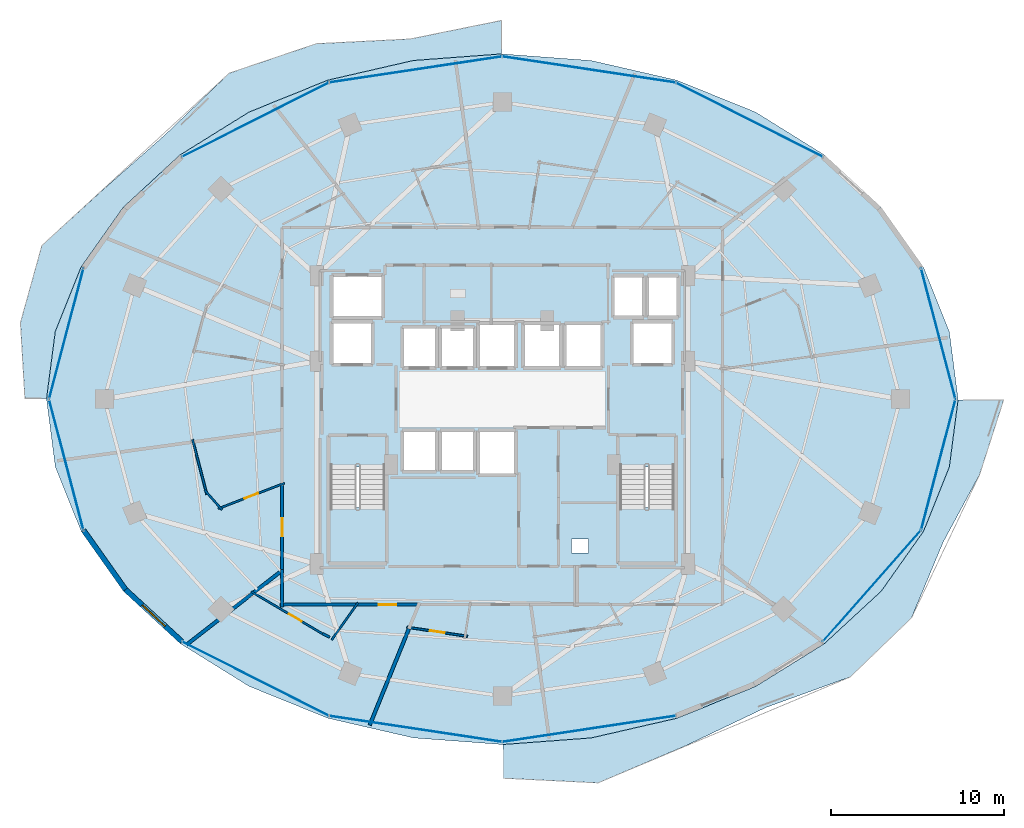
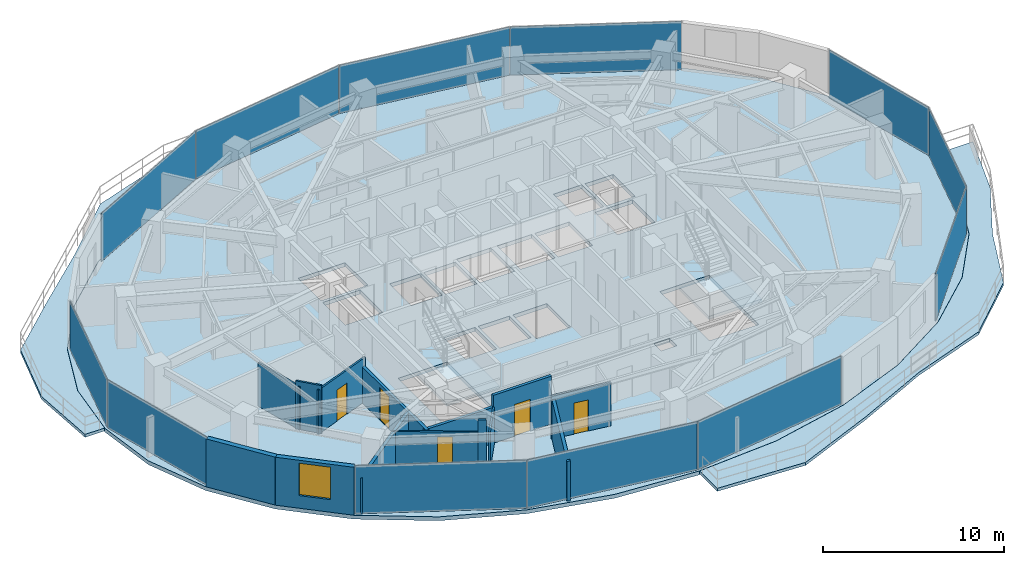
# One storey, part 21 of 30: 15 walls, 12 plates, 5 doors, 5 slabs, 1 window, 6 openings, 6 elements without a shape of their own.
"""IFC4 building model written with IfcOpenShell, lengths in metres."""

from ifc_helpers import new_model, si_unit, direction, frame, frame_2d, origin, origin_2d, place, context, subcontext, project, spatial, polyline, rectangle, outline, extrude, material, layer, layer_set, type_object, element, fill, aggregate, save


model = new_model("IFC4")

# Units and contexts
model_context = context("Model", 3, precision=1e-05, world=origin(), true_north=direction((0.0, 1.0)))
body_context = subcontext(model_context, "Body", "Model", "MODEL_VIEW")
ifc_project = project(units=[si_unit("LENGTHUNIT", "METRE"), si_unit("AREAUNIT", "SQUARE_METRE"), si_unit("VOLUMEUNIT", "CUBIC_METRE"), si_unit("PLANEANGLEUNIT", "RADIAN"), si_unit("MASSUNIT", "GRAM", prefix="KILO")], contexts=[model_context])

# Site, building, storey
site_placement = place(None, origin())
site = spatial("IfcSite", under=ifc_project, at=site_placement, CompositionType="ELEMENT")
building_placement = place(site_placement, origin())
building = spatial("IfcBuilding", under=site, at=building_placement, Name="Vorneva Point Tower", CompositionType="ELEMENT")
storey_placement = place(building_placement, frame((0.0, 0.0, 92.800048828125)))
storey = spatial("IfcBuildingStorey", under=building, at=storey_placement, Name="L24", CompositionType="ELEMENT", Elevation=92.800048828125)

# Curtain wall, plates
ifc_material_1 = material(Name="Pale anodised aluminium", Category="aluminium")
curtain_wall_type = type_object("IfcCurtainWallType", Name="CW-HTL-SYS", PredefinedType="NOTDEFINED", material=ifc_material_1)
curtain_wall_1_placement = place(storey_placement, origin())
curtain_wall_1 = element("IfcCurtainWall", 1, at=curtain_wall_1_placement, inside=storey, type_object=curtain_wall_type, Name="L24 Unitised Curtain Wall CW-L24-R01", PredefinedType="NOTDEFINED")
ifc_material_2 = material(Name="Double low-e laminated glass IGU", Category="glass")
ifc_layer_1 = layer(ifc_material_2, 0.035888671875)
ifc_layer_set_1 = layer_set([ifc_layer_1], Name="Double low-e laminated glass IGU")
plate_type = type_object("IfcPlateType", Name="CW-PNL-VIS", PredefinedType="CURTAIN_PANEL", material=ifc_layer_set_1)
plate_1_placement = place(storey_placement, frame((59.40673828125, 15.183837890625, -0.02001953125), z_axis=(0.0, 0.0, 1.0), x_axis=(0.662149334693, 0.749371909379, 0.0)))
plate_1 = element("IfcPlate", 2, at=plate_1_placement, type_object=plate_type, Name="CW-L24-R01 Glazed Panel 01", PredefinedType="CURTAIN_PANEL", context=body_context, shape_type="SweptSolid", body=[
    extrude(rectangle(XDim=8.543701171875, YDim=0.035888671875, at=origin_2d()), origin(), (0.0, 0.0, 1.0), 3.280029296875),
])
plate_2_placement = place(storey_placement, frame((63.2509765625, 22.201904296875, -0.02001953125), z_axis=(0.0, 0.0, 1.0), x_axis=(0.254399404995, 0.967099241411, 0.0)))
plate_2 = element("IfcPlate", 3, at=plate_2_placement, type_object=plate_type, Name="CW-L24-R01 Glazed Panel 02", PredefinedType="CURTAIN_PANEL", context=body_context, shape_type="SweptSolid", body=[
    extrude(rectangle(XDim=7.8046875, YDim=0.035888671875, at=origin_2d()), origin(), (0.0, 0.0, 1.0), 3.280029296875),
])
plate_3_placement = place(storey_placement, frame((63.2509765625, 29.798095703125, -0.02001953125), z_axis=(0.0, 0.0, 1.0), x_axis=(-0.254399404995, 0.967099241411, 0.0)))
plate_3 = element("IfcPlate", 4, at=plate_3_placement, type_object=plate_type, Name="CW-L24-R01 Glazed Panel 03", PredefinedType="CURTAIN_PANEL", context=body_context, shape_type="SweptSolid", body=[
    extrude(rectangle(XDim=7.8046875, YDim=0.035888671875, at=origin_2d()), origin(), (0.0, 0.0, 1.0), 3.280029296875),
])
aggregate(curtain_wall_1, [plate_1, plate_2, plate_3])

curtain_wall_2_placement = place(storey_placement, origin())
curtain_wall_2 = element("IfcCurtainWall", 5, at=curtain_wall_2_placement, inside=storey, type_object=curtain_wall_type, Name="L24 Unitised Curtain Wall CW-L24-R02", PredefinedType="NOTDEFINED")
plate_4_placement = place(storey_placement, frame((52.303466796875, 42.1875, -0.02001953125), z_axis=(0.0, 0.0, 1.0), x_axis=(-0.892538597772, 0.450971009585, 0.0)))
plate_4 = element("IfcPlate", 6, at=plate_4_placement, type_object=plate_type, Name="CW-L24-R02 Glazed Panel 01", PredefinedType="CURTAIN_PANEL", context=body_context, shape_type="SweptSolid", body=[
    extrude(rectangle(XDim=9.491455078125, YDim=0.035888671875, at=origin_2d()), origin(), (0.0, 0.0, 1.0), 3.280029296875),
])
plate_5_placement = place(storey_placement, frame((43.022705078125, 45.094482421875, -0.02001953125), z_axis=(0.0, 0.0, 1.0), x_axis=(-0.988876117041, 0.148741470836, 0.0)))
plate_5 = element("IfcPlate", 7, at=plate_5_placement, type_object=plate_type, Name="CW-L24-R02 Glazed Panel 02", PredefinedType="CURTAIN_PANEL", context=body_context, shape_type="SweptSolid", body=[
    extrude(rectangle(XDim=10.1083984375, YDim=0.035888671875, at=origin_2d()), origin(), (0.0, 0.0, 1.0), 3.280029296875),
])
plate_6_placement = place(storey_placement, frame((32.977294921875, 45.094482421875, -0.02001953125), z_axis=(0.0, 0.0, 1.0), x_axis=(-0.988876117041, -0.148741470836, 0.0)))
plate_6 = element("IfcPlate", 8, at=plate_6_placement, type_object=plate_type, Name="CW-L24-R02 Glazed Panel 03", PredefinedType="CURTAIN_PANEL", context=body_context, shape_type="SweptSolid", body=[
    extrude(rectangle(XDim=10.1083984375, YDim=0.035888671875, at=origin_2d()), origin(), (0.0, 0.0, 1.0), 3.280029296875),
])
plate_7_placement = place(storey_placement, frame((23.696533203125, 42.1875, -0.02001953125), z_axis=(0.0, 0.0, 1.0), x_axis=(-0.892538597772, -0.450971009585, 0.0)))
plate_7 = element("IfcPlate", 9, at=plate_7_placement, type_object=plate_type, Name="CW-L24-R02 Glazed Panel 04", PredefinedType="CURTAIN_PANEL", context=body_context, shape_type="SweptSolid", body=[
    extrude(rectangle(XDim=9.491455078125, YDim=0.035888671875, at=origin_2d()), origin(), (0.0, 0.0, 1.0), 3.280029296875),
])
aggregate(curtain_wall_2, [plate_4, plate_5, plate_6, plate_7])

curtain_wall_3_placement = place(storey_placement, origin())
curtain_wall_3 = element("IfcCurtainWall", 10, at=curtain_wall_3_placement, inside=storey, type_object=curtain_wall_type, Name="L24 Unitised Curtain Wall CW-L24-R03", PredefinedType="NOTDEFINED")
plate_8_placement = place(storey_placement, frame((12.7490234375, 29.798095703125, -0.02001953125), z_axis=(0.0, 0.0, 1.0), x_axis=(-0.254399404995, -0.967099241411, 0.0)))
plate_8 = element("IfcPlate", 11, at=plate_8_placement, type_object=plate_type, Name="CW-L24-R03 Glazed Panel 01", PredefinedType="CURTAIN_PANEL", context=body_context, shape_type="SweptSolid", body=[
    extrude(rectangle(XDim=7.8046875, YDim=0.035888671875, at=origin_2d()), origin(), (0.0, 0.0, 1.0), 3.280029296875),
])
plate_9_placement = place(storey_placement, frame((12.7490234375, 22.201904296875, -0.02001953125), z_axis=(0.0, 0.0, 1.0), x_axis=(0.254399404995, -0.967099241411, 0.0)))
plate_9 = element("IfcPlate", 12, at=plate_9_placement, type_object=plate_type, Name="CW-L24-R03 Glazed Panel 02", PredefinedType="CURTAIN_PANEL", context=body_context, shape_type="SweptSolid", body=[
    extrude(rectangle(XDim=7.8046875, YDim=0.035888671875, at=origin_2d()), origin(), (0.0, 0.0, 1.0), 3.280029296875),
])
aggregate(curtain_wall_3, [plate_8, plate_9])

curtain_wall_4_placement = place(storey_placement, origin())
curtain_wall_4 = element("IfcCurtainWall", 13, at=curtain_wall_4_placement, inside=storey, type_object=curtain_wall_type, Name="L24 Unitised Curtain Wall CW-L24-R04", PredefinedType="NOTDEFINED")
plate_10_placement = place(storey_placement, frame((23.696533203125, 9.8125, -0.02001953125), z_axis=(0.0, 0.0, 1.0), x_axis=(0.892538597772, -0.450971009585, 0.0)))
plate_10 = element("IfcPlate", 14, at=plate_10_placement, type_object=plate_type, Name="CW-L24-R04 Glazed Panel 01", PredefinedType="CURTAIN_PANEL", context=body_context, shape_type="SweptSolid", body=[
    extrude(rectangle(XDim=9.491455078125, YDim=0.035888671875, at=origin_2d()), origin(), (0.0, 0.0, 1.0), 3.280029296875),
])
plate_11_placement = place(storey_placement, frame((32.977294921875, 6.905517578125, -0.02001953125), z_axis=(0.0, 0.0, 1.0), x_axis=(0.988876117041, -0.148741470836, 0.0)))
plate_11 = element("IfcPlate", 15, at=plate_11_placement, type_object=plate_type, Name="CW-L24-R04 Glazed Panel 02", PredefinedType="CURTAIN_PANEL", context=body_context, shape_type="SweptSolid", body=[
    extrude(rectangle(XDim=10.1083984375, YDim=0.035888671875, at=origin_2d()), origin(), (0.0, 0.0, 1.0), 3.280029296875),
])
plate_12_placement = place(storey_placement, frame((43.022705078125, 6.905517578125, -0.02001953125), z_axis=(0.0, 0.0, 1.0), x_axis=(0.988876117041, 0.148741470836, 0.0)))
plate_12 = element("IfcPlate", 16, at=plate_12_placement, type_object=plate_type, Name="CW-L24-R04 Glazed Panel 03", PredefinedType="CURTAIN_PANEL", context=body_context, shape_type="SweptSolid", body=[
    extrude(rectangle(XDim=10.1083984375, YDim=0.035888671875, at=origin_2d()), origin(), (0.0, 0.0, 1.0), 3.280029296875),
])
aggregate(curtain_wall_4, [plate_10, plate_11, plate_12])

# Slabs
ifc_material_3 = material(Name="Concrete B50 (C40/50)", Category="concrete")
ifc_layer_2 = layer(ifc_material_3, 0.199951171875)
ifc_layer_set_2 = layer_set([ifc_layer_2], Name="Concrete B50 (C40/50)")
slab_type_1 = type_object("IfcSlabType", Name="SLB-BAL-200", PredefinedType="FLOOR", material=ifc_layer_set_2)
slab_1_placement = place(storey_placement, frame((0.0, 0.0, -0.199951171875)))
element("IfcSlab", 17, at=slab_1_placement, inside=storey, type_object=slab_type_1, Name="L24 Cantilevered Wave Balcony NW", PredefinedType="FLOOR", context=body_context, shape_type="SweptSolid", body=[
    extrude(outline(polyline([(10.34716796875, 26.050048828125), (11.6025390625, 26.050048828125), (12.103271484375, 29.90234375), (12.103515625, 29.902587890625), (12.103515625, 29.903076171875), (12.103515625, 29.9033203125), (13.60595703125, 33.6552734375), (13.606201171875, 33.655517578125), (13.606201171875, 33.656005859375), (16.0458984375, 37.11376953125), (16.046142578125, 37.114013671875), (16.04638671875, 37.1142578125), (19.32958984375, 40.14501953125), (19.330078125, 40.145263671875), (19.330322265625, 40.1455078125), (23.330810546875, 42.6328125), (23.3310546875, 42.633056640625), (23.331298828125, 42.633056640625), (27.895751953125, 44.481201171875), (27.89599609375, 44.4814453125), (27.896240234375, 44.4814453125), (32.8486328125, 45.61962890625), (32.84912109375, 45.61962890625), (32.849365234375, 45.61962890625), (37.949951171875, 46.000244140625), (37.949951171875, 47.939697265625), (32.661376953125, 46.864990234375), (27.233154296875, 46.59375), (22.189453125, 44.888427734375), (18.453857421875, 41.302001953125), (14.87841796875, 38.14404296875), (11.331298828125, 34.8994140625), (10.089111328125, 30.431640625), (10.34716796875, 26.050048828125)])), origin(), (0.0, 0.0, 1.0), 0.199951171875),
])
slab_2_placement = place(storey_placement, frame((0.0, 0.0, -0.199951171875)))
element("IfcSlab", 18, at=slab_2_placement, inside=storey, type_object=slab_type_1, Name="L24 Cantilevered Wave Balcony SE", PredefinedType="FLOOR", context=body_context, shape_type="SweptSolid", body=[
    extrude(outline(polyline([(65.646728515625, 21.6376953125), (67.033935546875, 25.949951171875), (64.3974609375, 25.949951171875), (63.896728515625, 22.09765625), (63.896484375, 22.097412109375), (63.896484375, 22.096923828125), (63.896484375, 22.0966796875), (62.39404296875, 18.3447265625), (62.393798828125, 18.344482421875), (62.393798828125, 18.343994140625), (59.9541015625, 14.88623046875), (59.953857421875, 14.885986328125), (59.95361328125, 14.8857421875), (56.67041015625, 11.85498046875), (56.669921875, 11.854736328125), (56.669677734375, 11.8544921875), (52.669189453125, 9.3671875), (52.6689453125, 9.366943359375), (52.668701171875, 9.366943359375), (48.104248046875, 7.518798828125), (48.10400390625, 7.5185546875), (48.103759765625, 7.5185546875), (43.1513671875, 6.38037109375), (43.15087890625, 6.38037109375), (43.150634765625, 6.38037109375), (38.050048828125, 5.999755859375), (38.050048828125, 4.047607421875), (43.543212890625, 3.777099609375), (48.6064453125, 5.91748046875), (53.284912109375, 8.150146484375), (58.14404296875, 9.908935546875), (61.704833984375, 13.341552734375), (63.533935546875, 17.72119140625), (65.646728515625, 21.6376953125)])), origin(), (0.0, 0.0, 1.0), 0.199951171875),
])

# Stair, slab
stair_type = type_object("IfcStairType", Name="ST-DOG-1500", PredefinedType="HALF_TURN_STAIR", material=ifc_material_3)
stair_1_placement = place(storey_placement, origin())
stair_1 = element("IfcStair", 19, at=stair_1_placement, inside=storey, type_object=stair_type, Name="L24 ST1", PredefinedType="HALF_TURN_STAIR")
ifc_layer_3 = layer(ifc_material_3, 0.199951171875)
ifc_layer_set_3 = layer_set([ifc_layer_3], Name="Concrete B50 (C40/50)")
slab_type_2 = type_object("IfcSlabType", Name="SLB-LND-200", PredefinedType="LANDING", material=ifc_layer_set_3)
slab_3_placement = place(storey_placement, frame((0.0, 0.0, 1.550048828125)))
slab_3 = element("IfcSlab", 20, at=slab_3_placement, type_object=slab_type_2, Name="ST1 landing 1", PredefinedType="LANDING", context=body_context, shape_type="SweptSolid", body=[
    extrude(outline(polyline([(27.929931640625, 16.47998046875), (31.320068359375, 16.47998046875), (31.320068359375, 19.72998046875), (27.929931640625, 19.72998046875), (27.929931640625, 16.47998046875)])), origin(), (0.0, 0.0, 1.0), 0.199951171875),
])
aggregate(stair_1, [slab_3])

stair_2_placement = place(storey_placement, origin())
stair_2 = element("IfcStair", 21, at=stair_2_placement, inside=storey, type_object=stair_type, Name="L24 ST2", PredefinedType="HALF_TURN_STAIR")
slab_4_placement = place(storey_placement, frame((0.0, 0.0, 1.550048828125)))
slab_4 = element("IfcSlab", 22, at=slab_4_placement, type_object=slab_type_2, Name="ST2 landing 1", PredefinedType="LANDING", context=body_context, shape_type="SweptSolid", body=[
    extrude(outline(polyline([(44.679931640625, 16.47998046875), (48.070068359375, 16.47998046875), (48.070068359375, 19.72998046875), (44.679931640625, 19.72998046875), (44.679931640625, 16.47998046875)])), origin(), (0.0, 0.0, 1.0), 0.199951171875),
])
aggregate(stair_2, [slab_4])

# Slab
ifc_layer_4 = layer(ifc_material_3, 0.260009765625)
ifc_layer_set_4 = layer_set([ifc_layer_4], Name="Concrete B50 (C40/50)")
slab_type_3 = type_object("IfcSlabType", Name="SLB-TYP-260", PredefinedType="FLOOR", material=ifc_layer_set_4)
slab_5_placement = place(storey_placement, frame((0.0, 0.0, -0.260009765625)))
element("IfcSlab", 23, at=slab_5_placement, inside=storey, type_object=slab_type_3, Name="L24 Structural Floor Plate", PredefinedType="FLOOR", context=body_context, shape_type="SweptSolid", body=[
    extrude(outline(polyline([(64.39990234375, 26.0), (63.892578125, 29.90185546875), (62.390380859375, 33.65380859375), (59.95068359375, 37.111328125), (56.66748046875, 40.14208984375), (52.6669921875, 42.62939453125), (48.102783203125, 44.4775390625), (43.150390625, 45.61572265625), (38.0, 46.0), (32.849609375, 45.61572265625), (27.897216796875, 44.4775390625), (23.3330078125, 42.62939453125), (19.33251953125, 40.14208984375), (16.04931640625, 37.111328125), (13.609619140625, 33.65380859375), (12.107421875, 29.90185546875), (11.60009765625, 26.0), (12.107421875, 22.09814453125), (13.609619140625, 18.34619140625), (16.04931640625, 14.888671875), (19.33251953125, 11.85791015625), (23.3330078125, 9.37060546875), (27.897216796875, 7.5224609375), (32.849609375, 6.38427734375), (38.0, 6.0), (43.150390625, 6.38427734375), (48.102783203125, 7.5224609375), (52.6669921875, 9.37060546875), (56.66748046875, 11.85791015625), (59.95068359375, 14.888671875), (62.390380859375, 18.34619140625), (63.892578125, 22.09814453125), (64.39990234375, 26.0)]), holes=[polyline([(32.199951171875, 27.800048828125), (34.199951171875, 27.800048828125), (34.199951171875, 30.199951171875), (32.199951171875, 30.199951171875), (32.199951171875, 27.800048828125)]), polyline([(34.39990234375, 27.800048828125), (36.39990234375, 27.800048828125), (36.39990234375, 30.199951171875), (34.39990234375, 30.199951171875), (34.39990234375, 27.800048828125)]), polyline([(36.60009765625, 27.800048828125), (38.800048828125, 27.800048828125), (38.800048828125, 30.39990234375), (36.60009765625, 30.39990234375), (36.60009765625, 27.800048828125)]), polyline([(32.199951171875, 21.800048828125), (34.199951171875, 21.800048828125), (34.199951171875, 24.199951171875), (32.199951171875, 24.199951171875), (32.199951171875, 21.800048828125)]), polyline([(34.39990234375, 21.800048828125), (36.39990234375, 21.800048828125), (36.39990234375, 24.199951171875), (34.39990234375, 24.199951171875), (34.39990234375, 21.800048828125)]), polyline([(36.60009765625, 21.60009765625), (38.800048828125, 21.60009765625), (38.800048828125, 24.199951171875), (36.60009765625, 24.199951171875), (36.60009765625, 21.60009765625)]), polyline([(39.199951171875, 27.800048828125), (41.39990234375, 27.800048828125), (41.39990234375, 30.39990234375), (39.199951171875, 30.39990234375), (39.199951171875, 27.800048828125)]), polyline([(41.60009765625, 27.800048828125), (43.800048828125, 27.800048828125), (43.800048828125, 30.39990234375), (41.60009765625, 30.39990234375), (41.60009765625, 27.800048828125)]), polyline([(44.39990234375, 30.739990234375), (46.199951171875, 30.739990234375), (46.199951171875, 33.159912109375), (44.39990234375, 33.159912109375), (44.39990234375, 30.739990234375)]), polyline([(46.39990234375, 30.739990234375), (48.199951171875, 30.739990234375), (48.199951171875, 33.159912109375), (46.39990234375, 33.159912109375), (46.39990234375, 30.739990234375)]), polyline([(28.10009765625, 28.0), (30.5, 28.0), (30.5, 30.5), (28.10009765625, 30.5), (28.10009765625, 28.0)]), polyline([(45.5, 28.0), (47.89990234375, 28.0), (47.89990234375, 30.5), (45.5, 30.5), (45.5, 28.0)]), polyline([(28.10009765625, 30.699951171875), (31.10009765625, 30.699951171875), (31.10009765625, 33.199951171875), (28.10009765625, 33.199951171875), (28.10009765625, 30.699951171875)]), polyline([(28.050048828125, 16.60009765625), (31.199951171875, 16.60009765625), (31.199951171875, 22.080078125), (28.050048828125, 22.080078125), (28.050048828125, 16.60009765625)]), polyline([(44.800048828125, 16.60009765625), (47.949951171875, 16.60009765625), (47.949951171875, 22.080078125), (44.800048828125, 22.080078125), (44.800048828125, 16.60009765625)]), polyline([(42.0, 17.10009765625), (43.0, 17.10009765625), (43.0, 17.89990234375), (42.0, 17.89990234375), (42.0, 17.10009765625)])]), origin(), (0.0, 0.0, 1.0), 0.260009765625),
])

# Wall
ifc_material_4 = material(Name="Precast concrete B50 (C40/50)", Category="concrete")
ifc_layer_5 = layer(ifc_material_4, 0.300048828125)
ifc_layer_set_5 = layer_set([ifc_layer_5], Name="Precast concrete B50 (C40/50)")
wall_type_1 = type_object("IfcWallType", Name="WL-EXT-300", PredefinedType="STANDARD", material=ifc_layer_set_5)
wall_1_placement = place(storey_placement, frame((13.748291015625, 18.40380859375, 0.0), z_axis=(0.0, 0.0, 1.0), x_axis=(0.57716435238, -0.81662801222, 0.0)))
element("IfcWall", 24, at=wall_1_placement, inside=storey, type_object=wall_type_1, Name="L24 Pale-Metal Facade Spandrel Wall 10.1", PredefinedType="STANDARD", context=body_context, shape_type="SweptSolid", body=[
    extrude(rectangle(XDim=4.202392578125, YDim=0.300048828125, at=frame_2d((2.10107421875, 0.0))), origin(), (0.0, 0.0, 1.0), 3.239990234375),
])

# Wall, opening, window
wall_2_placement = place(storey_placement, frame((16.173828125, 14.971923828125, 0.0), z_axis=(0.0, 0.0, 1.0), x_axis=(0.735416718093, -0.677615119924, 0.0)))
wall_2 = element("IfcWall", 25, at=wall_2_placement, inside=storey, type_object=wall_type_1, Name="L24 Pale-Metal Facade Spandrel Wall 10.2", PredefinedType="STANDARD", context=body_context, shape_type="SweptSolid", body=[
    extrude(rectangle(XDim=4.439208984375, YDim=0.300048828125, at=frame_2d((2.2197265625, 0.0))), origin(), (0.0, 0.0, 1.0), 3.239990234375),
])
opening_1_placement = place(wall_2_placement, frame((1.319580078125, 0.0, 0.85009765625)))
opening_1 = element("IfcOpeningElement", 26, at=opening_1_placement, cuts=wall_2, Name="Opening W-01", PredefinedType="OPENING", context=body_context, shape_type="SweptSolid", body=[
    extrude(rectangle(XDim=1.800048828125, YDim=2.18994140625, at=frame_2d((0.89990234375, 1.094970703125))), frame((0.0, 0.1650390625, 0.0), z_axis=(0.0, -1.0, 0.0), x_axis=(1.0, 0.0, 0.0)), (0.0, 0.0, 1.0), 0.329833984375),
])
window_type = type_object("IfcWindowType", Name="WN-LOG-1800", PartitioningType="SINGLE_PANEL", PredefinedType="WINDOW", material=ifc_material_2)
window_placement = place(opening_1_placement, origin())
window = element("IfcWindow", 27, at=window_placement, inside=storey, type_object=window_type, Name="L24 Facade Window 10", OverallHeight=2.18994140625, OverallWidth=1.800048828125, PartitioningType="SINGLE_PANEL", PredefinedType="WINDOW", context=body_context, shape_type="SweptSolid", body=[
    extrude(rectangle(XDim=1.800048828125, YDim=2.18994140625, at=frame_2d((0.89990234375, 1.094970703125))), frame((0.0, 0.030029296875, 0.0), z_axis=(0.0, -1.0, 0.0), x_axis=(1.0, 0.0, 0.0)), (0.0, 0.0, 1.0), 0.06005859375),
])
fill(opening_1, window)

# Walls
ifc_material_5 = material(Name="Fire-rated acoustic gypsum stud partition", Category="gypsum")
ifc_layer_6 = layer(ifc_material_5, 0.110107421875)
ifc_layer_set_6 = layer_set([ifc_layer_6], Name="Fire-rated acoustic gypsum stud partition")
wall_type_2 = type_object("IfcWallType", Name="WL-PART-110", PredefinedType="PARTITIONING", material=ifc_layer_set_6)
wall_3_placement = place(storey_placement, frame((21.759765625, 19.60205078125, 0.0), z_axis=(0.0, 0.0, 1.0), x_axis=(-0.661931735756, 0.749564124808, 0.0)))
element("IfcWall", 28, at=wall_3_placement, inside=storey, type_object=wall_type_2, Name="L24 Interior Partition 072", PredefinedType="PARTITIONING", context=body_context, shape_type="SweptSolid", body=[
    extrude(rectangle(XDim=1.510009765625, YDim=0.110107421875, at=frame_2d((0.7548828125, 0.0))), origin(), (0.0, 0.0, 1.0), 3.239990234375),
])
wall_4_placement = place(storey_placement, frame((20.888671875, 20.49365234375, 0.0), z_axis=(0.0, 0.0, 1.0), x_axis=(-0.254405137241, 0.967097733502, 0.0)))
element("IfcWall", 29, at=wall_4_placement, inside=storey, type_object=wall_type_2, Name="L24 Interior Partition 073", PredefinedType="PARTITIONING", context=body_context, shape_type="SweptSolid", body=[
    extrude(rectangle(XDim=3.271484375, YDim=0.110107421875, at=frame_2d((1.6357421875, 0.0))), origin(), (0.0, 0.0, 1.0), 2.921875),
])

# Wall, opening, door
wall_5_placement = place(storey_placement, frame((25.380615234375, 21.13720703125, 0.0), z_axis=(0.0, 0.0, 1.0), x_axis=(-0.933189718051, -0.359384126144, 0.0)))
wall_5 = element("IfcWall", 30, at=wall_5_placement, inside=storey, type_object=wall_type_2, Name="L24 Interior Partition 074", PredefinedType="PARTITIONING", context=body_context, shape_type="SweptSolid", body=[
    extrude(rectangle(XDim=4.119384765625, YDim=0.110107421875, at=frame_2d((2.0595703125, 0.0))), origin(), (0.0, 0.0, 1.0), 2.971923828125),
])
opening_2_placement = place(wall_5_placement, frame((1.634765625, 0.0, 0.0)))
opening_2 = element("IfcOpeningElement", 31, at=opening_2_placement, cuts=wall_5, Name="Opening ID-02", PredefinedType="OPENING", context=body_context, shape_type="SweptSolid", body=[
    extrude(rectangle(XDim=0.85009765625, YDim=2.10009765625, at=frame_2d((0.425048828125, 1.050048828125))), frame((0.0, 0.06982421875, 0.0), z_axis=(0.0, -1.0, 0.0), x_axis=(1.0, 0.0, 0.0)), (0.0, 0.0, 1.0), 0.139892578125),
])
ifc_material_6 = material(Name="Engineered oak fire-rated door leaf", Category="wood")
door_type_1 = type_object("IfcDoorType", Name="DR-BATH-850", OperationType="NOTDEFINED", PredefinedType="DOOR", material=ifc_material_6)
door_1_placement = place(opening_2_placement, origin())
door_1 = element("IfcDoor", 32, at=door_1_placement, inside=storey, type_object=door_type_1, Name="L24 Door Junior Suite L24-07 / En-Suite Bathroom L24-07", OperationType="SINGLE_SWING_RIGHT", OverallHeight=2.10009765625, OverallWidth=0.85009765625, PredefinedType="DOOR", context=body_context, shape_type="SweptSolid", body=[
    extrude(rectangle(XDim=0.85009765625, YDim=2.10009765625, at=frame_2d((0.425048828125, 1.050048828125))), frame((0.0, 0.02490234375, 0.0), z_axis=(0.0, -1.0, 0.0), x_axis=(1.0, 0.0, 0.0)), (0.0, 0.0, 1.0), 0.050048828125),
])
fill(opening_2, door_1)

wall_6_placement = place(storey_placement, frame((27.610595703125, 12.398681640625, 0.0), z_axis=(0.0, 0.0, 1.0), x_axis=(-0.860667615303, 0.509167218081, 0.0)))
wall_6 = element("IfcWall", 33, at=wall_6_placement, inside=storey, type_object=wall_type_2, Name="L24 Interior Partition 076", PredefinedType="PARTITIONING", context=body_context, shape_type="SweptSolid", body=[
    extrude(rectangle(XDim=4.82666015625, YDim=0.110107421875, at=frame_2d((2.413330078125, 0.0))), origin(), (0.0, 0.0, 1.0), 2.431884765625),
])
opening_3_placement = place(wall_6_placement, frame((1.42822265625, 0.0, 0.0)))
opening_3 = element("IfcOpeningElement", 34, at=opening_3_placement, cuts=wall_6, Name="Opening ID-02", PredefinedType="OPENING", context=body_context, shape_type="SweptSolid", body=[
    extrude(rectangle(XDim=0.85009765625, YDim=2.10009765625, at=frame_2d((0.425048828125, 1.050048828125))), frame((0.0, 0.06982421875, 0.0), z_axis=(0.0, -1.0, 0.0), x_axis=(1.0, 0.0, 0.0)), (0.0, 0.0, 1.0), 0.139892578125),
])
door_2_placement = place(opening_3_placement, origin())
door_2 = element("IfcDoor", 35, at=door_2_placement, inside=storey, type_object=door_type_1, Name="L24 Door King Guest Room L24-08 / En-Suite Bathroom L24-08", OperationType="SINGLE_SWING_LEFT", OverallHeight=2.10009765625, OverallWidth=0.85009765625, PredefinedType="DOOR", context=body_context, shape_type="SweptSolid", body=[
    extrude(rectangle(XDim=0.85009765625, YDim=2.10009765625, at=frame_2d((0.425048828125, 1.050048828125))), frame((0.0, 0.02490234375, 0.0), z_axis=(0.0, -1.0, 0.0), x_axis=(1.0, 0.0, 0.0)), (0.0, 0.0, 1.0), 0.050048828125),
])
fill(opening_3, door_2)

# Wall
wall_7_placement = place(storey_placement, frame((29.64404296875, 14.214111328125, 0.0), z_axis=(0.0, 0.0, 1.0), x_axis=(-0.578550668744, -0.815646445279, 0.0)))
element("IfcWall", 36, at=wall_7_placement, inside=storey, type_object=wall_type_2, Name="L24 Interior Partition 077", PredefinedType="PARTITIONING", context=body_context, shape_type="SweptSolid", body=[
    extrude(rectangle(XDim=2.64111328125, YDim=0.110107421875, at=frame_2d((1.320556640625, 0.0))), origin(), (0.0, 0.0, 1.0), 2.431884765625),
])

# Wall, opening, door
wall_8_placement = place(storey_placement, frame((35.9833984375, 12.26708984375, 0.0), z_axis=(0.0, 0.0, 1.0), x_axis=(-0.988843169739, 0.148960349288, 0.0)))
wall_8 = element("IfcWall", 37, at=wall_8_placement, inside=storey, type_object=wall_type_2, Name="L24 Interior Partition 081", PredefinedType="PARTITIONING", context=body_context, shape_type="SweptSolid", body=[
    extrude(rectangle(XDim=3.54345703125, YDim=0.110107421875, at=frame_2d((1.771728515625, 0.0))), origin(), (0.0, 0.0, 1.0), 2.921875),
])
opening_4_placement = place(wall_8_placement, frame((1.3466796875, 0.0, 0.0)))
opening_4 = element("IfcOpeningElement", 38, at=opening_4_placement, cuts=wall_8, Name="Opening ID-02", PredefinedType="OPENING", context=body_context, shape_type="SweptSolid", body=[
    extrude(rectangle(XDim=0.85009765625, YDim=2.10009765625, at=frame_2d((0.425048828125, 1.050048828125))), frame((0.0, 0.06982421875, 0.0), z_axis=(0.0, -1.0, 0.0), x_axis=(1.0, 0.0, 0.0)), (0.0, 0.0, 1.0), 0.139892578125),
])
door_3_placement = place(opening_4_placement, origin())
door_3 = element("IfcDoor", 39, at=door_3_placement, inside=storey, type_object=door_type_1, Name="L24 Door Twin Guest Room L24-09 / En-Suite Bathroom L24-09", OperationType="SINGLE_SWING_RIGHT", OverallHeight=2.10009765625, OverallWidth=0.85009765625, PredefinedType="DOOR", context=body_context, shape_type="SweptSolid", body=[
    extrude(rectangle(XDim=0.85009765625, YDim=2.10009765625, at=frame_2d((0.425048828125, 1.050048828125))), frame((0.0, 0.02490234375, 0.0), z_axis=(0.0, -1.0, 0.0), x_axis=(1.0, 0.0, 0.0)), (0.0, 0.0, 1.0), 0.050048828125),
])
fill(opening_4, door_3)

# Wall
ifc_layer_7 = layer(ifc_material_5, 0.139892578125)
ifc_layer_set_7 = layer_set([ifc_layer_7], Name="Fire-rated acoustic gypsum stud partition")
wall_type_3 = type_object("IfcWallType", Name="WL-PART-140", PredefinedType="PARTITIONING", material=ifc_layer_set_7)
wall_9_placement = place(storey_placement, frame((27.587158203125, 12.421142578125, 0.0), z_axis=(0.0, 0.0, 1.0), x_axis=(0.892279780373, -0.451482882884, 0.0)))
element("IfcWall", 40, at=wall_9_placement, inside=storey, type_object=wall_type_3, Name="L24 Interior Closure Partition 103", PredefinedType="PARTITIONING", context=body_context, shape_type="SweptSolid", body=[
    extrude(rectangle(XDim=0.45703125, YDim=0.139892578125, at=frame_2d((0.228515625, 0.0))), origin(), (0.0, 0.0, 1.0), 3.239990234375),
])

# Wall, opening, door
ifc_material_7 = material(Name="Autoclaved aerated concrete blockwork", Category="masonry")
ifc_layer_8 = layer(ifc_material_7, 0.179931640625)
ifc_layer_set_8 = layer_set([ifc_layer_8], Name="Autoclaved aerated concrete blockwork")
wall_type_4 = type_object("IfcWallType", Name="WL-PART-180", PredefinedType="PARTITIONING", material=ifc_layer_set_8)
wall_10_placement = place(storey_placement, frame((25.25, 21.14697265625, 0.0), z_axis=(0.0, 0.0, 1.0), x_axis=(0.0, -1.0, 0.0)))
wall_10 = element("IfcWall", 41, at=wall_10_placement, inside=storey, type_object=wall_type_4, Name="L24 Interior Partition 035", PredefinedType="PARTITIONING", context=body_context, shape_type="SweptSolid", body=[
    extrude(rectangle(XDim=5.136962890625, YDim=0.179931640625, at=frame_2d((2.568359375, 0.0))), origin(), (0.0, 0.0, 1.0), 2.431884765625),
])
opening_5_placement = place(wall_10_placement, frame((2.04345703125, 0.0, 0.0)))
opening_5 = element("IfcOpeningElement", 42, at=opening_5_placement, cuts=wall_10, Name="Opening UD-02", PredefinedType="OPENING", context=body_context, shape_type="SweptSolid", body=[
    extrude(rectangle(XDim=1.050048828125, YDim=2.199951171875, at=frame_2d((0.52490234375, 1.10009765625))), frame((0.0, 0.10498046875, 0.0), z_axis=(0.0, -1.0, 0.0), x_axis=(1.0, 0.0, 0.0)), (0.0, 0.0, 1.0), 0.209716796875),
])
door_type_2 = type_object("IfcDoorType", Name="DR-SUITE-1050", OperationType="NOTDEFINED", PredefinedType="DOOR", material=ifc_material_6)
door_4_placement = place(opening_5_placement, origin())
door_4 = element("IfcDoor", 43, at=door_4_placement, inside=storey, type_object=door_type_2, Name="L24 Door L24 Circulation Corridor / Junior Suite L24-07", OperationType="SINGLE_SWING_RIGHT", OverallHeight=2.199951171875, OverallWidth=1.050048828125, PredefinedType="DOOR", context=body_context, shape_type="SweptSolid", body=[
    extrude(rectangle(XDim=1.050048828125, YDim=2.199951171875, at=frame_2d((0.52490234375, 1.10009765625))), frame((0.0, 0.02490234375, 0.0), z_axis=(0.0, -1.0, 0.0), x_axis=(1.0, 0.0, 0.0)), (0.0, 0.0, 1.0), 0.050048828125),
])
fill(opening_5, door_4)

wall_11_placement = place(storey_placement, frame((29.489013671875, 14.10009765625, 0.0), z_axis=(0.0, 0.0, 1.0), x_axis=(1.0, 0.0, 0.0)))
wall_11 = element("IfcWall", 44, at=wall_11_placement, inside=storey, type_object=wall_type_4, Name="L24 Interior Partition 037", PredefinedType="PARTITIONING", context=body_context, shape_type="SweptSolid", body=[
    extrude(rectangle(XDim=3.72900390625, YDim=0.179931640625, at=frame_2d((1.864501953125, 0.0))), origin(), (0.0, 0.0, 1.0), 3.239990234375),
])
opening_6_placement = place(wall_11_placement, frame((1.364501953125, 0.0, 0.0)))
opening_6 = element("IfcOpeningElement", 45, at=opening_6_placement, cuts=wall_11, Name="Opening UD-01", PredefinedType="OPENING", context=body_context, shape_type="SweptSolid", body=[
    extrude(rectangle(XDim=1.0, YDim=2.14990234375, at=frame_2d((0.5, 1.074951171875))), frame((0.0, 0.10498046875, 0.0), z_axis=(0.0, -1.0, 0.0), x_axis=(1.0, 0.0, 0.0)), (0.0, 0.0, 1.0), 0.209716796875),
])
door_type_3 = type_object("IfcDoorType", Name="DR-UNIT-1000", OperationType="NOTDEFINED", PredefinedType="DOOR", material=ifc_material_6)
door_5_placement = place(opening_6_placement, origin())
door_5 = element("IfcDoor", 46, at=door_5_placement, inside=storey, type_object=door_type_3, Name="L24 Door L24 Circulation Corridor / King Guest Room L24-08", OperationType="SINGLE_SWING_LEFT", OverallHeight=2.14990234375, OverallWidth=1.0, PredefinedType="DOOR", context=body_context, shape_type="SweptSolid", body=[
    extrude(rectangle(XDim=1.0, YDim=2.14990234375, at=frame_2d((0.5, 1.074951171875))), frame((0.0, 0.02490234375, 0.0), z_axis=(0.0, -1.0, 0.0), x_axis=(1.0, 0.0, 0.0)), (0.0, 0.0, 1.0), 0.050048828125),
])
fill(opening_6, door_5)

# Walls
wall_12_placement = place(storey_placement, frame((25.25, 16.14990234375, 0.0), z_axis=(0.0, 0.0, 1.0), x_axis=(0.0, -1.0, 0.0)))
element("IfcWall", 47, at=wall_12_placement, inside=storey, type_object=wall_type_4, Name="L24 Interior Partition 038", PredefinedType="PARTITIONING", context=body_context, shape_type="SweptSolid", body=[
    extrude(rectangle(XDim=2.18994140625, YDim=0.179931640625, at=frame_2d((1.094970703125, 0.0))), origin(), (0.0, 0.0, 1.0), 2.431884765625),
])
wall_13_placement = place(storey_placement, frame((25.110107421875, 14.10009765625, 0.0), z_axis=(0.0, 0.0, 1.0), x_axis=(1.0, 0.0, 0.0)))
element("IfcWall", 48, at=wall_13_placement, inside=storey, type_object=wall_type_4, Name="L24 Interior Partition 039", PredefinedType="PARTITIONING", context=body_context, shape_type="SweptSolid", body=[
    extrude(rectangle(XDim=4.518798828125, YDim=0.179931640625, at=frame_2d((2.25927734375, 0.0))), origin(), (0.0, 0.0, 1.0), 2.431884765625),
])
ifc_layer_9 = layer(ifc_material_7, 0.199951171875)
ifc_layer_set_9 = layer_set([ifc_layer_9], Name="Autoclaved aerated concrete blockwork")
wall_type_5 = type_object("IfcWallType", Name="WL-PART-200", PredefinedType="PARTITIONING", material=ifc_layer_set_9)
wall_14_placement = place(storey_placement, frame((19.72509765625, 11.7900390625, 0.0), z_axis=(0.0, 0.0, 1.0), x_axis=(0.789438616042, 0.613829513384, 0.0)))
element("IfcWall", 49, at=wall_14_placement, inside=storey, type_object=wall_type_5, Name="L24 Interior Partition 075", PredefinedType="PARTITIONING", context=body_context, shape_type="SweptSolid", body=[
    extrude(rectangle(XDim=6.99853515625, YDim=0.199951171875, at=frame_2d((3.499267578125, 0.0))), origin(), (0.0, 0.0, 1.0), 2.431884765625),
])
wall_15_placement = place(storey_placement, frame((30.318115234375, 7.1201171875, 0.0), z_axis=(0.0, 0.0, 1.0), x_axis=(0.376920780929, 0.926245499263, 0.0)))
element("IfcWall", 50, at=wall_15_placement, inside=storey, type_object=wall_type_5, Name="L24 Interior Partition 078", PredefinedType="PARTITIONING", context=body_context, shape_type="SweptSolid", body=[
    extrude(rectangle(XDim=6.165771484375, YDim=0.199951171875, at=frame_2d((3.0830078125, 0.0))), origin(), (0.0, 0.0, 1.0), 2.677001953125),
])

save(model, "model.ifc")
